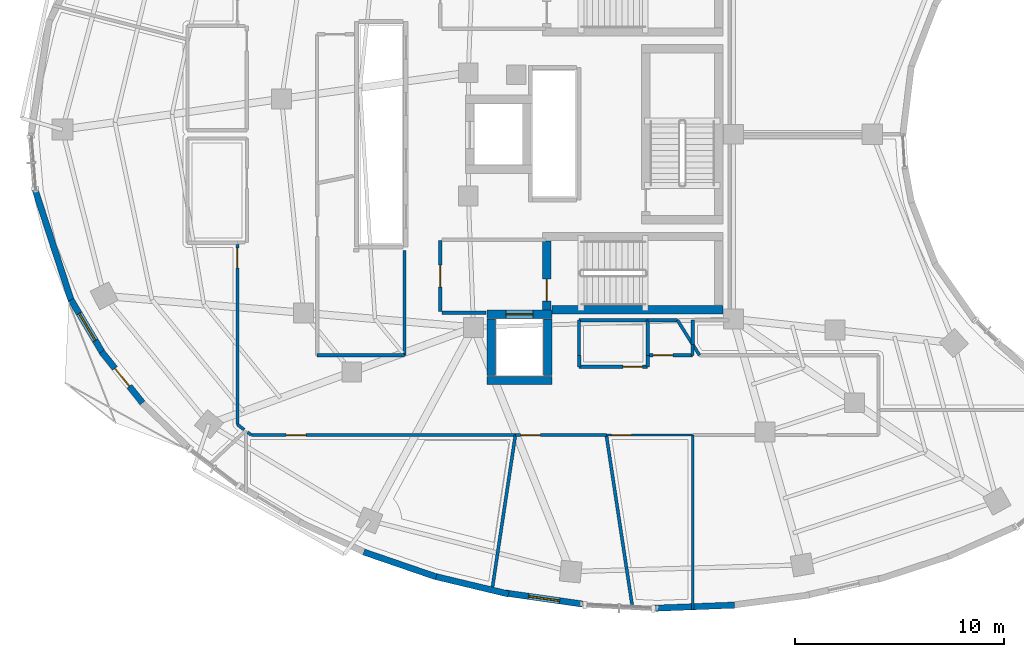
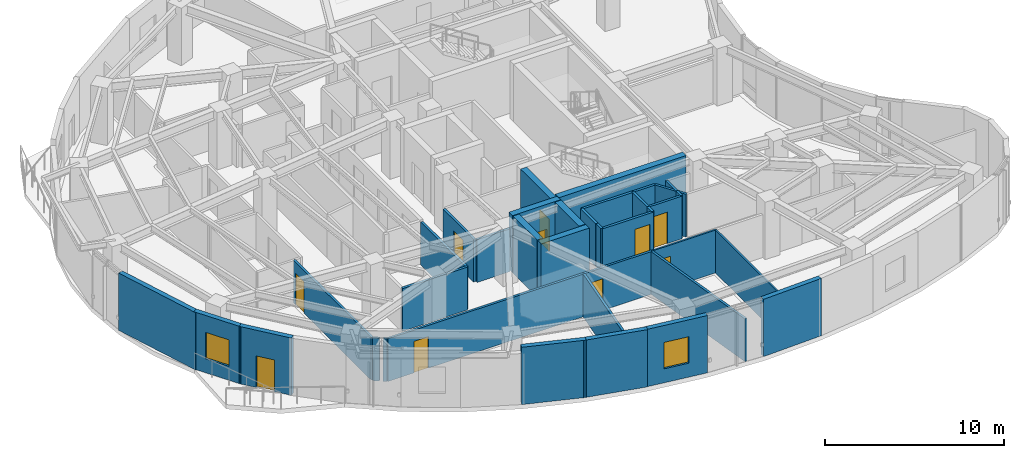
# One storey, part 8 of 15: 38 walls, 10 doors, 2 windows, 12 openings.
"""IFC4 building model written with IfcOpenShell, lengths in metres."""

import ifcopenshell
import ifcopenshell.guid

model = None  # the IFC model being written
_history = None  # IfcOwnerHistory: only IFC2X3 demands one
_inside = {}  # id of a spatial element -> (the spatial element, [elements in it])
_under = {}  # id of a project, library or spatial element -> (it, [spatial elements below it])
_declared = {}  # id of a project -> (the project, [libraries it declares])
_typed = {}  # id of a type object -> (the type object, [elements of that type])
_made_of = {}  # id of a material, layer set ... -> (it, [elements and type objects made of it])


def new_model(schema):
    """Start an empty IFC model of exactly this schema.

    Asked for "IFC4X3", IfcOpenShell would pick the latest addendum, in which some entities
    have other attributes; the version numbers below select the first issue.
    IFC2X3 requires an IfcOwnerHistory on every rooted entity: one is made here for all.
    """
    global model, _history
    if schema == "IFC4X3":
        model = ifcopenshell.file(schema_version=(4, 3, 0, 0))
    else:
        model = ifcopenshell.file(schema=schema)
    _inside.clear()
    _under.clear()
    _declared.clear()
    _typed.clear()
    _made_of.clear()
    _history = None
    if model.schema == "IFC2X3":
        org = make("IfcOrganization", Name="unknown")
        user = make(
            "IfcPersonAndOrganization",
            ThePerson=make("IfcPerson", FamilyName="unknown"),
            TheOrganization=org,
        )
        app = make(
            "IfcApplication",
            ApplicationDeveloper=org,
            Version="unknown",
            ApplicationFullName="unknown",
            ApplicationIdentifier="unknown",
        )
        _history = make(
            "IfcOwnerHistory",
            OwningUser=user,
            OwningApplication=app,
            ChangeAction="ADDED",
            CreationDate=0,
        )
    return model


def make(cls, **values):
    """One entity of the class cls with the attributes given. An attribute that is None is left unset."""
    return model.create_entity(
        cls, **{name: value for name, value in values.items() if value is not None}
    )


def rooted(cls, **values):
    """An entity with a GlobalId (a new one), such as an element, a storey or a relation."""
    return make(cls, GlobalId=ifcopenshell.guid.new(), OwnerHistory=_history, **values)


def si_unit(unit_type, name, prefix=None):
    """IfcSIUnit, for example si_unit("LENGTHUNIT", "METRE", prefix="MILLI")."""
    return make("IfcSIUnit", UnitType=unit_type, Prefix=prefix, Name=name)


def assignment(units):
    """IfcUnitAssignment: the units of a project."""
    return None if units is None else make("IfcUnitAssignment", Units=units)


def point(xyz):
    """IfcCartesianPoint."""
    return None if xyz is None else make("IfcCartesianPoint", Coordinates=xyz)


def direction(xyz):
    """IfcDirection."""
    return None if xyz is None else make("IfcDirection", DirectionRatios=xyz)


def frame(location, z_axis=None, x_axis=None):
    """IfcAxis2Placement3D, a coordinate frame: its origin and axes. An axis left out is left unset."""
    return make(
        "IfcAxis2Placement3D",
        Location=point(location),
        Axis=direction(z_axis),
        RefDirection=direction(x_axis),
    )


def frame_2d(location, x_axis=None):
    """IfcAxis2Placement2D, a coordinate frame in the plane: its origin and x axis."""
    return make(
        "IfcAxis2Placement2D", Location=point(location), RefDirection=direction(x_axis)
    )


def origin():
    """The frame at (0, 0, 0) with its axes left unset."""
    return frame((0.0, 0.0, 0.0))


def place(relative_to, where):
    """IfcLocalPlacement: puts the frame where relative to a parent placement (None: the world)."""
    return make(
        "IfcLocalPlacement", PlacementRelTo=relative_to, RelativePlacement=where
    )


def context(
    kind, dimensions, precision=None, world=None, true_north=None, identifier=None
):
    """IfcGeometricRepresentationContext, for example the 3D "Model" context."""
    return make(
        "IfcGeometricRepresentationContext",
        ContextIdentifier=identifier,
        ContextType=kind,
        CoordinateSpaceDimension=dimensions,
        Precision=precision,
        WorldCoordinateSystem=world,
        TrueNorth=true_north,
    )


def subcontext(parent, identifier, kind, view, scale=None):
    """IfcGeometricRepresentationSubContext, for example "Body" below "Model"."""
    return make(
        "IfcGeometricRepresentationSubContext",
        ContextIdentifier=identifier,
        ContextType=kind,
        ParentContext=parent,
        TargetScale=scale,
        TargetView=view,
    )


def project(units=None, contexts=None):
    """IfcProject with its units and contexts."""
    return rooted(
        "IfcProject",
        Name="project",
        RepresentationContexts=contexts,
        UnitsInContext=assignment(units),
    )


def spatial(cls, under=None, at=None, **own):
    """A site, building, storey or space (cls), placed at a placement, below another one or the project."""
    s = rooted(cls, ObjectPlacement=at, **own)
    if under is not None:
        _under.setdefault(under.id(), (under, []))[1].append(s)
    return s


def profile(cls, at=None, kind="AREA", **sizes):
    """A parametric profile (cls). Its sizes go by their IFC names, for example OverallWidth=200.0."""
    return make(cls, ProfileType=kind, Position=at, **sizes)


def rectangle(**sizes):
    """IfcRectangleProfileDef."""
    return profile("IfcRectangleProfileDef", **sizes)


def extrude(swept, where, along, depth):
    """IfcExtrudedAreaSolid: the profile swept, set in the frame where, extruded along a direction by depth."""
    return make(
        "IfcExtrudedAreaSolid",
        SweptArea=swept,
        Position=where,
        ExtrudedDirection=direction(along),
        Depth=depth,
    )


def shape(context_of_items, identifier, shape_type, items):
    """IfcShapeRepresentation: the items that make up one representation, for example the "Body"."""
    return make(
        "IfcShapeRepresentation",
        ContextOfItems=context_of_items,
        RepresentationIdentifier=identifier,
        RepresentationType=shape_type,
        Items=items,
    )


def material(Name=None, Category=None):
    """IfcMaterial."""
    return make("IfcMaterial", Name=Name, Category=Category)


def layer(
    of_material, thickness, ventilated=None, Name=None, Category=None, Priority=None
):
    """IfcMaterialLayer: one layer of a wall or slab, of a material (None: an air gap)."""
    return make(
        "IfcMaterialLayer",
        Material=of_material,
        LayerThickness=thickness,
        IsVentilated=ventilated,
        Name=Name,
        Category=Category,
        Priority=Priority,
    )


def layer_set(layers, Name=None):
    """IfcMaterialLayerSet."""
    return make("IfcMaterialLayerSet", MaterialLayers=layers, LayerSetName=Name)


def made_of(thing, what):
    """Note that an element or type object is made of a material, layer set ...; save() writes the relation."""
    if what is not None:
        _made_of.setdefault(what.id(), (what, []))[1].append(thing)
    return thing


def type_object(cls, material=None, **own):
    """A type object (cls), such as IfcWallType, which elements share."""
    return made_of(rooted(cls, **own), material)


def element(
    cls,
    number,
    at=None,
    inside=None,
    cuts=None,
    type_object=None,
    material=None,
    context=None,
    identifier="Body",
    shape_type=None,
    held_by="IfcProductDefinitionShape",
    body=None,
    shapes=None,
    **own,
):
    """One element of the class cls, such as IfcWall. Its Tag is "e" and its number.

    at: its placement. inside: the storey or other place that contains it. cuts: it is an
    opening in that element (IfcRelVoidsElement). A single representation is given by context,
    identifier, shape_type and body (its items); several are given by shapes. held_by: the class
    of the entity that holds the representations. save() writes the other relations.
    """
    e = rooted(cls, Tag="e%d" % number, ObjectPlacement=at, **own)
    if body is not None:
        shapes = [shape(context, identifier, shape_type, body)]
    if shapes is not None:
        e.Representation = make(held_by, Representations=shapes)
    if inside is not None:
        _inside.setdefault(inside.id(), (inside, []))[1].append(e)
    if cuts is not None:
        rooted(
            "IfcRelVoidsElement", RelatingBuildingElement=cuts, RelatedOpeningElement=e
        )
    if type_object is not None:
        _typed.setdefault(type_object.id(), (type_object, []))[1].append(e)
    return made_of(e, material)


def fill(opening, filler):
    """IfcRelFillsElement: the door or window that sits in an opening."""
    return rooted(
        "IfcRelFillsElement",
        RelatingOpeningElement=opening,
        RelatedBuildingElement=filler,
    )


def aggregate(whole, parts):
    """IfcRelAggregates: a whole, such as a stair, and the parts it consists of."""
    return rooted("IfcRelAggregates", RelatingObject=whole, RelatedObjects=parts)


def save(model, path):
    """Write the relations noted so far, then the file.

    IfcRelAggregates (storeys below a building ...), IfcRelContainedInSpatialStructure (elements
    in a storey), IfcRelDefinesByType, IfcRelAssociatesMaterial and IfcRelDeclares: one each for
    every whole, place, type object, material and project.
    """
    for whole, parts in _under.values():
        aggregate(whole, parts)
    for where, things in _inside.values():
        rooted(
            "IfcRelContainedInSpatialStructure",
            RelatedElements=things,
            RelatingStructure=where,
        )
    for kind, things in _typed.values():
        rooted("IfcRelDefinesByType", RelatedObjects=things, RelatingType=kind)
    for what, things in _made_of.values():
        rooted("IfcRelAssociatesMaterial", RelatedObjects=things, RelatingMaterial=what)
    for by, libraries in _declared.values():
        rooted("IfcRelDeclares", RelatingContext=by, RelatedDefinitions=libraries)
    model.write(path)


model = new_model("IFC4")

# Units and contexts
model_context = context("Model", 3, precision=1e-05, world=origin(), true_north=direction((0.0, 1.0)))
body_context = subcontext(model_context, "Body", "Model", "MODEL_VIEW")
ifc_project = project(units=[si_unit("LENGTHUNIT", "METRE"), si_unit("AREAUNIT", "SQUARE_METRE"), si_unit("VOLUMEUNIT", "CUBIC_METRE"), si_unit("PLANEANGLEUNIT", "RADIAN"), si_unit("MASSUNIT", "GRAM", prefix="KILO")], contexts=[model_context])

# Site, building, storey
site_placement = place(None, origin())
site = spatial("IfcSite", under=ifc_project, at=site_placement, CompositionType="ELEMENT")
building_placement = place(site_placement, origin())
building = spatial("IfcBuilding", under=site, at=building_placement, Name="Korentha Bioscience Tower", CompositionType="ELEMENT")
storey_placement = place(building_placement, frame((0.0, 0.0, 235.199951171875)))
storey = spatial("IfcBuildingStorey", under=building, at=storey_placement, Name="L54", CompositionType="ELEMENT", Elevation=235.199951171875)

# Wall, opening, door
ifc_material_1 = material(Name="Double-Stud Acoustic Gypsum", Category="gypsum")
ifc_layer_1 = layer(ifc_material_1, 0.14990234375, Name="Double-Stud Acoustic Gypsum")
ifc_layer_set_1 = layer_set([ifc_layer_1], Name="Double-Stud Acoustic Gypsum (IW-L150)")
wall_type_1 = type_object("IfcWallType", Name="Acoustic Laboratory Partition Wall 150", PredefinedType="PARTITIONING", material=ifc_layer_set_1)
wall_1_placement = place(storey_placement, frame((13.7900390625, 21.7900390625, 0.0), z_axis=(0.0, 0.0, 1.0), x_axis=(0.0, -1.0, 0.0)))
wall_1 = element("IfcWall", 1, at=wall_1_placement, inside=storey, type_object=wall_type_1, Name="L54 Staff Pantry Kitchenette 01 Entrance Wall", PredefinedType="PARTITIONING", context=body_context, shape_type="SweptSolid", body=[
    extrude(rectangle(XDim=8.69384765625, YDim=0.14990234375, at=frame_2d((4.346923828125, 0.0))), origin(), (0.0, 0.0, 1.0), 2.91015625),
])
opening_1_placement = place(wall_1_placement, frame((0.239990234375, 0.0, 0.0)))
opening_1 = element("IfcOpeningElement", 2, at=opening_1_placement, cuts=wall_1, Name="Opening ID-10L", PredefinedType="OPENING", context=body_context, shape_type="SweptSolid", body=[
    extrude(rectangle(XDim=0.949951171875, YDim=2.14990234375, at=frame_2d((0.47509765625, 1.074951171875))), frame((0.0, 0.08984375, 0.0), z_axis=(0.0, -1.0, 0.0), x_axis=(1.0, 0.0, 0.0)), (0.0, 0.0, 1.0), 0.1796875),
])
ifc_material_2 = material(Name="Phenolic Laminate Timber Core", Category="wood")
door_type_1 = type_object("IfcDoorType", Name="Laboratory Single Leaf Door 950x2150 Left", OperationType="SINGLE_SWING_LEFT", PredefinedType="DOOR", material=ifc_material_2)
door_1_placement = place(opening_1_placement, origin())
door_1 = element("IfcDoor", 3, at=door_1_placement, inside=storey, type_object=door_type_1, Name="L54 Staff Pantry Kitchenette 01 Door", OperationType="SINGLE_SWING_LEFT", OverallHeight=2.14990234375, OverallWidth=0.949951171875, PredefinedType="DOOR", context=body_context, shape_type="SweptSolid", body=[
    extrude(rectangle(XDim=0.949951171875, YDim=2.14990234375, at=frame_2d((0.47509765625, 1.074951171875))), frame((0.0, 0.02490234375, 0.0), z_axis=(0.0, -1.0, 0.0), x_axis=(1.0, 0.0, 0.0)), (0.0, 0.0, 1.0), 0.050048828125),
])
fill(opening_1, door_1)

wall_2_placement = place(storey_placement, frame((14.454345703125, 12.590087890625, 0.0), z_axis=(0.0, 0.0, 1.0), x_axis=(1.0, 0.0, 0.0)))
wall_2 = element("IfcWall", 4, at=wall_2_placement, inside=storey, type_object=wall_type_1, Name="L54 Biomechanical Motion Analysis Lab 03 Entrance Wall", PredefinedType="PARTITIONING", context=body_context, shape_type="SweptSolid", body=[
    extrude(rectangle(XDim=12.65234375, YDim=0.14990234375, at=frame_2d((6.326171875, 0.0))), origin(), (0.0, 0.0, 1.0), 2.91015625),
])
opening_2_placement = place(wall_2_placement, frame((1.67333984375, 0.0, 0.0)))
opening_2 = element("IfcOpeningElement", 5, at=opening_2_placement, cuts=wall_2, Name="Opening ID-10L", PredefinedType="OPENING", context=body_context, shape_type="SweptSolid", body=[
    extrude(rectangle(XDim=0.949951171875, YDim=2.14990234375, at=frame_2d((0.47509765625, 1.074951171875))), frame((0.0, 0.08984375, 0.0), z_axis=(0.0, -1.0, 0.0), x_axis=(1.0, 0.0, 0.0)), (0.0, 0.0, 1.0), 0.1796875),
])
door_2_placement = place(opening_2_placement, origin())
door_2 = element("IfcDoor", 6, at=door_2_placement, inside=storey, type_object=door_type_1, Name="L54 Biomechanical Motion Analysis Lab 03 Door", OperationType="SINGLE_SWING_LEFT", OverallHeight=2.14990234375, OverallWidth=0.949951171875, PredefinedType="DOOR", context=body_context, shape_type="SweptSolid", body=[
    extrude(rectangle(XDim=0.949951171875, YDim=2.14990234375, at=frame_2d((0.47509765625, 1.074951171875))), frame((0.0, 0.02490234375, 0.0), z_axis=(0.0, -1.0, 0.0), x_axis=(1.0, 0.0, 0.0)), (0.0, 0.0, 1.0), 0.050048828125),
])
fill(opening_2, door_2)

wall_3_placement = place(storey_placement, frame((27.11669921875, 12.590087890625, 0.0), z_axis=(0.0, 0.0, 1.0), x_axis=(1.0, 0.0, 0.0)))
wall_3 = element("IfcWall", 7, at=wall_3_placement, inside=storey, type_object=wall_type_1, Name="L54 Principal Investigator Office 04 Entrance Wall", PredefinedType="PARTITIONING", context=body_context, shape_type="SweptSolid", body=[
    extrude(rectangle(XDim=4.3466796875, YDim=0.14990234375, at=frame_2d((2.17333984375, 0.0))), origin(), (0.0, 0.0, 1.0), 2.91015625),
])
opening_3_placement = place(wall_3_placement, frame((0.239990234375, 0.0, 0.0)))
opening_3 = element("IfcOpeningElement", 8, at=opening_3_placement, cuts=wall_3, Name="Opening ID-10R", PredefinedType="OPENING", context=body_context, shape_type="SweptSolid", body=[
    extrude(rectangle(XDim=0.949951171875, YDim=2.14990234375, at=frame_2d((0.47509765625, 1.074951171875))), frame((0.0, 0.08984375, 0.0), z_axis=(0.0, -1.0, 0.0), x_axis=(1.0, 0.0, 0.0)), (0.0, 0.0, 1.0), 0.1796875),
])
door_type_2 = type_object("IfcDoorType", Name="Laboratory Single Leaf Door 950x2150 Right", OperationType="SINGLE_SWING_RIGHT", PredefinedType="DOOR", material=ifc_material_2)
door_3_placement = place(opening_3_placement, origin())
door_3 = element("IfcDoor", 9, at=door_3_placement, inside=storey, type_object=door_type_2, Name="L54 Principal Investigator Office 04 Door", OperationType="SINGLE_SWING_RIGHT", OverallHeight=2.14990234375, OverallWidth=0.949951171875, PredefinedType="DOOR", context=body_context, shape_type="SweptSolid", body=[
    extrude(rectangle(XDim=0.949951171875, YDim=2.14990234375, at=frame_2d((0.47509765625, 1.074951171875))), frame((0.0, 0.02490234375, 0.0), z_axis=(0.0, -1.0, 0.0), x_axis=(1.0, 0.0, 0.0)), (0.0, 0.0, 1.0), 0.050048828125),
])
fill(opening_3, door_3)

wall_4_placement = place(storey_placement, frame((35.597900390625, 16.409912109375, 0.0), z_axis=(0.0, 0.0, 1.0), x_axis=(-1.0, 0.0, 0.0)))
wall_4 = element("IfcWall", 10, at=wall_4_placement, inside=storey, type_object=wall_type_1, Name="L54 Bioinformatics Data Collaboration Hub 07 Entrance Wall", PredefinedType="PARTITIONING", context=body_context, shape_type="SweptSolid", body=[
    extrude(rectangle(XDim=2.137939453125, YDim=0.14990234375, at=frame_2d((1.06884765625, 0.0))), origin(), (0.0, 0.0, 1.0), 2.91015625),
])
opening_4_placement = place(wall_4_placement, frame((0.947998046875, 0.0, 0.0)))
opening_4 = element("IfcOpeningElement", 11, at=opening_4_placement, cuts=wall_4, Name="Opening ID-10L", PredefinedType="OPENING", context=body_context, shape_type="SweptSolid", body=[
    extrude(rectangle(XDim=0.949951171875, YDim=2.14990234375, at=frame_2d((0.47509765625, 1.074951171875))), frame((0.0, 0.08984375, 0.0), z_axis=(0.0, -1.0, 0.0), x_axis=(1.0, 0.0, 0.0)), (0.0, 0.0, 1.0), 0.1796875),
])
door_4_placement = place(opening_4_placement, origin())
door_4 = element("IfcDoor", 12, at=door_4_placement, inside=storey, type_object=door_type_1, Name="L54 Bioinformatics Data Collaboration Hub 07 Door", OperationType="SINGLE_SWING_LEFT", OverallHeight=2.14990234375, OverallWidth=0.949951171875, PredefinedType="DOOR", context=body_context, shape_type="SweptSolid", body=[
    extrude(rectangle(XDim=0.949951171875, YDim=2.14990234375, at=frame_2d((0.47509765625, 1.074951171875))), frame((0.0, 0.02490234375, 0.0), z_axis=(0.0, -1.0, 0.0), x_axis=(1.0, 0.0, 0.0)), (0.0, 0.0, 1.0), 0.050048828125),
])
fill(opening_4, door_4)

# Walls
wall_5_placement = place(storey_placement, frame((13.7939453125, 13.088134765625, 0.0), z_axis=(0.0, 0.0, 1.0), x_axis=(0.797056485175, -0.60390476024, 0.0)))
element("IfcWall", 13, at=wall_5_placement, inside=storey, type_object=wall_type_1, Name="L54 Interior Partition 033", PredefinedType="PARTITIONING", context=body_context, shape_type="SweptSolid", body=[
    extrude(rectangle(XDim=0.3994140625, YDim=0.14990234375, at=frame_2d((0.19970703125, 0.0))), origin(), (0.0, 0.0, 1.0), 2.91015625),
])
wall_6_placement = place(storey_placement, frame((14.280029296875, 12.7197265625, 0.0), z_axis=(0.0, 0.0, 1.0), x_axis=(0.796940505815, -0.604057803683, 0.0)))
element("IfcWall", 14, at=wall_6_placement, inside=storey, type_object=wall_type_1, Name="L54 Interior Partition 040", PredefinedType="PARTITIONING", context=body_context, shape_type="SweptSolid", body=[
    extrude(rectangle(XDim=0.21142578125, YDim=0.14990234375, at=frame_2d((0.105712890625, 0.0))), origin(), (0.0, 0.0, 1.0), 2.91015625),
])
wall_7_placement = place(storey_placement, frame((27.106689453125, 12.590087890625, 0.0), z_axis=(0.0, 0.0, 1.0), x_axis=(-0.149013085528, -0.98883522406, 0.0)))
element("IfcWall", 15, at=wall_7_placement, inside=storey, type_object=wall_type_1, Name="L54 Interior Partition 041", PredefinedType="PARTITIONING", context=body_context, shape_type="SweptSolid", body=[
    extrude(rectangle(XDim=7.631591796875, YDim=0.14990234375, at=frame_2d((3.81591796875, 0.0))), origin(), (0.0, 0.0, 1.0), 2.91015625),
])
wall_8_placement = place(storey_placement, frame((31.46337890625, 12.590087890625, 0.0), z_axis=(0.0, 0.0, 1.0), x_axis=(0.149927844007, -0.988696941227, 0.0)))
element("IfcWall", 16, at=wall_8_placement, inside=storey, type_object=wall_type_1, Name="L54 Interior Partition 042", PredefinedType="PARTITIONING", context=body_context, shape_type="SweptSolid", body=[
    extrude(rectangle(XDim=8.44482421875, YDim=0.14990234375, at=frame_2d((4.222412109375, 0.0))), origin(), (0.0, 0.0, 1.0), 2.91015625),
])
wall_9_placement = place(storey_placement, frame((35.60205078125, 16.938232421875, 0.0), z_axis=(0.0, 0.0, 1.0), x_axis=(0.0, 1.0, 0.0)))
element("IfcWall", 17, at=wall_9_placement, inside=storey, type_object=wall_type_1, Name="L54 Interior Partition 046", PredefinedType="PARTITIONING", context=body_context, shape_type="SweptSolid", body=[
    extrude(rectangle(XDim=1.15185546875, YDim=0.14990234375, at=frame_2d((0.575927734375, 0.0))), origin(), (0.0, 0.0, 1.0), 2.91015625),
])
wall_10_placement = place(storey_placement, frame((35.929443359375, 16.409912109375, 0.0), z_axis=(0.0, 0.0, 1.0), x_axis=(-0.531474166757, 0.847074500897, 0.0)))
element("IfcWall", 18, at=wall_10_placement, inside=storey, type_object=wall_type_1, Name="L54 Interior Partition 052", PredefinedType="PARTITIONING", context=body_context, shape_type="SweptSolid", body=[
    extrude(rectangle(XDim=0.609619140625, YDim=0.14990234375, at=frame_2d((0.3046875, 0.0))), origin(), (0.0, 0.0, 1.0), 2.91015625),
])
wall_11_placement = place(storey_placement, frame((35.597900390625, 16.92431640625, 0.0), z_axis=(0.0, 0.0, 1.0), x_axis=(0.0, -1.0, 0.0)))
element("IfcWall", 19, at=wall_11_placement, inside=storey, type_object=wall_type_1, Name="L54 Interior Partition 053", PredefinedType="PARTITIONING", context=body_context, shape_type="SweptSolid", body=[
    extrude(rectangle(XDim=0.514404296875, YDim=0.14990234375, at=frame_2d((0.25732421875, 0.0))), origin(), (0.0, 0.0, 1.0), 2.91015625),
])
wall_12_placement = place(storey_placement, frame((33.4599609375, 18.090087890625, 0.0), z_axis=(0.0, 0.0, 1.0), x_axis=(1.0, 0.0, 0.0)))
element("IfcWall", 20, at=wall_12_placement, inside=storey, type_object=wall_type_1, Name="L54 Interior Partition 054", PredefinedType="PARTITIONING", context=body_context, shape_type="SweptSolid", body=[
    extrude(rectangle(XDim=1.410400390625, YDim=0.14990234375, at=frame_2d((0.705078125, 0.0))), origin(), (0.0, 0.0, 1.0), 2.91015625),
])
wall_13_placement = place(storey_placement, frame((34.870361328125, 18.090087890625, 0.0), z_axis=(0.0, 0.0, 1.0), x_axis=(0.531496113267, -0.847060730752, 0.0)))
element("IfcWall", 21, at=wall_13_placement, inside=storey, type_object=wall_type_1, Name="L54 Interior Partition 055", PredefinedType="PARTITIONING", context=body_context, shape_type="SweptSolid", body=[
    extrude(rectangle(XDim=1.3623046875, YDim=0.14990234375, at=frame_2d((0.68115234375, 0.0))), origin(), (0.0, 0.0, 1.0), 2.91015625),
])

# Wall, opening, door
ifc_material_3 = material(Name="Fire-Rated Framed Glass", Category="glass")
ifc_layer_2 = layer(ifc_material_3, 0.110107421875, Name="Fire-Rated Framed Glass")
ifc_layer_set_2 = layer_set([ifc_layer_2], Name="Fire-Rated Framed Glass (IW-G110)")
wall_type_2 = type_object("IfcWallType", Name="Demountable Glazed Office Partition 110", PredefinedType="MOVABLE", material=ifc_layer_set_2)
wall_14_placement = place(storey_placement, frame((31.473388671875, 12.590087890625, 0.0), z_axis=(0.0, 0.0, 1.0), x_axis=(1.0, 0.0, 0.0)))
wall_14 = element("IfcWall", 22, at=wall_14_placement, inside=storey, type_object=wall_type_2, Name="L54 Clinical Trials Data Office 05 Entrance Wall", PredefinedType="MOVABLE", context=body_context, shape_type="SweptSolid", body=[
    extrude(rectangle(XDim=4.12451171875, YDim=0.110107421875, at=frame_2d((2.062255859375, 0.0))), origin(), (0.0, 0.0, 1.0), 2.91015625),
])
opening_5_placement = place(wall_14_placement, frame((0.239990234375, 0.0, 0.0)))
opening_5 = element("IfcOpeningElement", 23, at=opening_5_placement, cuts=wall_14, Name="Opening ID-10L", PredefinedType="OPENING", context=body_context, shape_type="SweptSolid", body=[
    extrude(rectangle(XDim=0.949951171875, YDim=2.14990234375, at=frame_2d((0.47509765625, 1.074951171875))), frame((0.0, 0.06982421875, 0.0), z_axis=(0.0, -1.0, 0.0), x_axis=(1.0, 0.0, 0.0)), (0.0, 0.0, 1.0), 0.139892578125),
])
door_5_placement = place(opening_5_placement, origin())
door_5 = element("IfcDoor", 24, at=door_5_placement, inside=storey, type_object=door_type_1, Name="L54 Clinical Trials Data Office 05 Door", OperationType="SINGLE_SWING_LEFT", OverallHeight=2.14990234375, OverallWidth=0.949951171875, PredefinedType="DOOR", context=body_context, shape_type="SweptSolid", body=[
    extrude(rectangle(XDim=0.949951171875, YDim=2.14990234375, at=frame_2d((0.47509765625, 1.074951171875))), frame((0.0, 0.02490234375, 0.0), z_axis=(0.0, -1.0, 0.0), x_axis=(1.0, 0.0, 0.0)), (0.0, 0.0, 1.0), 0.050048828125),
])
fill(opening_5, door_5)

# Wall
wall_15_placement = place(storey_placement, frame((35.597900390625, 12.590087890625, 0.0), z_axis=(0.0, 0.0, 1.0), x_axis=(0.0, -1.0, 0.0)))
element("IfcWall", 25, at=wall_15_placement, inside=storey, type_object=wall_type_2, Name="L54 Interior Partition 043", PredefinedType="MOVABLE", context=body_context, shape_type="SweptSolid", body=[
    extrude(rectangle(XDim=8.3466796875, YDim=0.110107421875, at=frame_2d((4.17333984375, 0.0))), origin(), (0.0, 0.0, 1.0), 2.91015625),
])

# Wall, opening, door
ifc_material_4 = material(Name="Gypsum-Clad Steel Stud", Category="steel")
ifc_layer_3 = layer(ifc_material_4, 0.159912109375, Name="Gypsum-Clad Steel Stud")
ifc_layer_set_3 = layer_set([ifc_layer_3], Name="Gypsum-Clad Steel Stud (IW-C160)")
wall_type_3 = type_object("IfcWallType", Name="Fire-Rated Corridor Partition Wall 160", PredefinedType="PARTITIONING", material=ifc_layer_set_3)
wall_16_placement = place(storey_placement, frame((23.5, 18.5, 0.0), z_axis=(0.0, 0.0, 1.0), x_axis=(0.0, 1.0, 0.0)))
wall_16 = element("IfcWall", 26, at=wall_16_placement, inside=storey, type_object=wall_type_3, Name="L54 FFLS-CW Rated Enclosure Wall", PredefinedType="PARTITIONING", context=body_context, shape_type="SweptSolid", body=[
    extrude(rectangle(XDim=3.39990234375, YDim=0.159912109375, at=frame_2d((1.699951171875, 0.0))), origin(), (0.0, 0.0, 1.0), 2.91015625),
])
opening_6_placement = place(wall_16_placement, frame((1.175048828125, 0.0, 0.0)))
opening_6 = element("IfcOpeningElement", 27, at=opening_6_placement, cuts=wall_16, Name="Opening FD-90L", PredefinedType="OPENING", context=body_context, shape_type="SweptSolid", body=[
    extrude(rectangle(XDim=1.050048828125, YDim=2.14990234375, at=frame_2d((0.52490234375, 1.074951171875))), frame((0.0, 0.0947265625, 0.0), z_axis=(0.0, -1.0, 0.0), x_axis=(1.0, 0.0, 0.0)), (0.0, 0.0, 1.0), 0.189697265625),
])
ifc_material_5 = material(Name="Powder-Coated Fire-Rated Steel", Category="steel")
door_type_3 = type_object("IfcDoorType", Name="Stairwell Fire Exit Door 1050x2150 Left", OperationType="SINGLE_SWING_LEFT", PredefinedType="DOOR", material=ifc_material_5)
door_6_placement = place(opening_6_placement, origin())
door_6 = element("IfcDoor", 28, at=door_6_placement, inside=storey, type_object=door_type_3, Name="L54 South Firefighting Lobby Door", OperationType="SINGLE_SWING_LEFT", OverallHeight=2.14990234375, OverallWidth=1.050048828125, PredefinedType="DOOR", context=body_context, shape_type="SweptSolid", body=[
    extrude(rectangle(XDim=1.050048828125, YDim=2.14990234375, at=frame_2d((0.52490234375, 1.074951171875))), frame((0.0, 0.02490234375, 0.0), z_axis=(0.0, -1.0, 0.0), x_axis=(1.0, 0.0, 0.0)), (0.0, 0.0, 1.0), 0.050048828125),
])
fill(opening_6, door_6)

# Wall
wall_17_placement = place(storey_placement, frame((23.580078125, 18.449951171875, 0.0), z_axis=(0.0, 0.0, 1.0), x_axis=(1.0, 0.0, 0.0)))
element("IfcWall", 29, at=wall_17_placement, inside=storey, type_object=wall_type_3, Name="L54 Firefighting Lobby Return Wall FFLS-S", PredefinedType="PARTITIONING", context=body_context, shape_type="SweptSolid", body=[
    extrude(rectangle(XDim=2.119873046875, YDim=0.159912109375, at=frame_2d((1.06005859375, 0.0))), origin(), (0.0, 0.0, 1.0), 2.91015625),
])

# Wall, opening, door
wall_18_placement = place(storey_placement, frame((33.43994140625, 15.860107421875, 0.0), z_axis=(0.0, 0.0, 1.0), x_axis=(-1.0, 0.0, 0.0)))
wall_18 = element("IfcWall", 30, at=wall_18_placement, inside=storey, type_object=wall_type_3, Name="L54 Core Instrumentation and Gas Store Entrance Wall", PredefinedType="PARTITIONING", context=body_context, shape_type="SweptSolid", body=[
    extrude(rectangle(XDim=3.280029296875, YDim=0.159912109375, at=frame_2d((1.64013671875, 0.0))), origin(), (0.0, 0.0, 1.0), 2.91015625),
])
opening_7_placement = place(wall_18_placement, frame((0.239990234375, 0.0, 0.0)))
opening_7 = element("IfcOpeningElement", 31, at=opening_7_placement, cuts=wall_18, Name="Opening ID-10L", PredefinedType="OPENING", context=body_context, shape_type="SweptSolid", body=[
    extrude(rectangle(XDim=0.949951171875, YDim=2.14990234375, at=frame_2d((0.47509765625, 1.074951171875))), frame((0.0, 0.0947265625, 0.0), z_axis=(0.0, -1.0, 0.0), x_axis=(1.0, 0.0, 0.0)), (0.0, 0.0, 1.0), 0.189697265625),
])
door_7_placement = place(opening_7_placement, origin())
door_7 = element("IfcDoor", 32, at=door_7_placement, inside=storey, type_object=door_type_1, Name="L54 Core Instrumentation and Gas Store Door", OperationType="SINGLE_SWING_LEFT", OverallHeight=2.14990234375, OverallWidth=0.949951171875, PredefinedType="DOOR", context=body_context, shape_type="SweptSolid", body=[
    extrude(rectangle(XDim=0.949951171875, YDim=2.14990234375, at=frame_2d((0.47509765625, 1.074951171875))), frame((0.0, 0.02490234375, 0.0), z_axis=(0.0, -1.0, 0.0), x_axis=(1.0, 0.0, 0.0)), (0.0, 0.0, 1.0), 0.050048828125),
])
fill(opening_7, door_7)

# Walls
for number, where, z_axis, x_axis, name in (
    (33, (33.43994140625, 16.39990234375, 0.0), (0.0, 0.0, 1.0), (0.0, -1.0, 0.0), "L54 Interior Partition 017"),
    (34, (30.159912109375, 15.860107421875, 0.0), (0.0, 0.0, 1.0), (0.0, 1.0, 0.0), "L54 Interior Partition 018"),
):
    element("IfcWall", number, at=place(storey_placement, frame(where, z_axis=z_axis, x_axis=x_axis)), inside=storey, type_object=wall_type_3, Name=name, PredefinedType="PARTITIONING", context=body_context, shape_type="SweptSolid", body=[
        extrude(rectangle(XDim=0.539794921875, YDim=0.159912109375, at=frame_2d((0.27001953125, 0.0))), origin(), (0.0, 0.0, 1.0), 2.91015625),
    ])
wall_19_placement = place(storey_placement, frame((30.14990234375, 16.409912109375, 0.0), z_axis=(0.0, 0.0, 1.0), x_axis=(0.0, 1.0, 0.0)))
element("IfcWall", 35, at=wall_19_placement, inside=storey, type_object=wall_type_3, Name="L54 Interior Partition 019", PredefinedType="PARTITIONING", context=body_context, shape_type="SweptSolid", body=[
    extrude(rectangle(XDim=1.68017578125, YDim=0.159912109375, at=frame_2d((0.840087890625, 0.0))), origin(), (0.0, 0.0, 1.0), 2.91015625),
])
wall_20_placement = place(storey_placement, frame((30.14990234375, 18.090087890625, 0.0), z_axis=(0.0, 0.0, 1.0), x_axis=(1.0, 0.0, 0.0)))
element("IfcWall", 36, at=wall_20_placement, inside=storey, type_object=wall_type_3, Name="L54 Interior Partition 020", PredefinedType="PARTITIONING", context=body_context, shape_type="SweptSolid", body=[
    extrude(rectangle(XDim=3.300048828125, YDim=0.159912109375, at=frame_2d((1.64990234375, 0.0))), origin(), (0.0, 0.0, 1.0), 2.91015625),
])
wall_21_placement = place(storey_placement, frame((33.449951171875, 18.090087890625, 0.0), z_axis=(0.0, 0.0, 1.0), x_axis=(0.0, -1.0, 0.0)))
element("IfcWall", 37, at=wall_21_placement, inside=storey, type_object=wall_type_3, Name="L54 Interior Partition 021", PredefinedType="PARTITIONING", context=body_context, shape_type="SweptSolid", body=[
    extrude(rectangle(XDim=1.68017578125, YDim=0.159912109375, at=frame_2d((0.840087890625, 0.0))), origin(), (0.0, 0.0, 1.0), 2.91015625),
])
wall_22_placement = place(storey_placement, frame((21.7900390625, 21.43994140625, 0.0), z_axis=(0.0, 0.0, 1.0), x_axis=(0.0, -1.0, 0.0)))
element("IfcWall", 38, at=wall_22_placement, inside=storey, type_object=wall_type_3, Name="L54 Interior Partition 036", PredefinedType="PARTITIONING", context=body_context, shape_type="SweptSolid", body=[
    extrude(rectangle(XDim=5.030029296875, YDim=0.159912109375, at=frame_2d((2.51513671875, 0.0))), origin(), (0.0, 0.0, 1.0), 2.91015625),
])
wall_23_placement = place(storey_placement, frame((21.7900390625, 16.409912109375, 0.0), z_axis=(0.0, 0.0, 1.0), x_axis=(-1.0, 0.0, 0.0)))
element("IfcWall", 39, at=wall_23_placement, inside=storey, type_object=wall_type_3, Name="L54 Interior Partition 037", PredefinedType="PARTITIONING", context=body_context, shape_type="SweptSolid", body=[
    extrude(rectangle(XDim=4.179931640625, YDim=0.159912109375, at=frame_2d((2.08984375, 0.0))), origin(), (0.0, 0.0, 1.0), 2.91015625),
])

# Wall, opening, window
ifc_material_6 = material(Name="Honed Limestone Precast Concrete C40", Category="masonry")
ifc_layer_4 = layer(ifc_material_6, 0.300048828125, Name="Honed Limestone Precast Concrete C40")
ifc_layer_set_4 = layer_set([ifc_layer_4], Name="Honed Limestone Precast Concrete C40 (EW-ST300)")
wall_type_4 = type_object("IfcWallType", Name="Honed Limestone Cavity Spandrel Wall 300", PredefinedType="STANDARD", material=ifc_layer_set_4)
wall_24_placement = place(storey_placement, frame((5.818115234375, 19.07080078125, 0.0), z_axis=(0.0, 0.0, 1.0), x_axis=(0.511263271049, -0.859424148879, 0.0)))
wall_24 = element("IfcWall", 40, at=wall_24_placement, inside=storey, type_object=wall_type_4, Name="L54 Honed Limestone Spandrel Wall 22", PredefinedType="STANDARD", context=body_context, shape_type="SweptSolid", body=[
    extrude(rectangle(XDim=3.03564453125, YDim=0.300048828125, at=frame_2d((1.517822265625, 0.0))), origin(), (0.0, 0.0, 1.0), 3.900146484375),
])
opening_8_placement = place(wall_24_placement, frame((0.767822265625, 0.0, 0.949951171875)))
opening_8 = element("IfcOpeningElement", 41, at=opening_8_placement, cuts=wall_24, Name="Opening WN-02", PredefinedType="OPENING", context=body_context, shape_type="SweptSolid", body=[
    extrude(rectangle(XDim=1.5, YDim=1.800048828125, at=frame_2d((0.75, 0.89990234375))), frame((0.0, 0.1650390625, 0.0), z_axis=(0.0, -1.0, 0.0), x_axis=(1.0, 0.0, 0.0)), (0.0, 0.0, 1.0), 0.329833984375),
])
ifc_material_7 = material(Name="Thermally Broken Aluminium Triple Glazing", Category="aluminium")
window_type = type_object("IfcWindowType", Name="Acoustic Operable Office Window 1500x1800", PartitioningType="DOUBLE_PANEL_VERTICAL", PredefinedType="WINDOW", material=ifc_material_7)
window_1_placement = place(opening_8_placement, origin())
window_1 = element("IfcWindow", 42, at=window_1_placement, inside=storey, type_object=window_type, Name="L54 Facade Window 22", OverallHeight=1.800048828125, OverallWidth=1.5, PartitioningType="DOUBLE_PANEL_VERTICAL", PredefinedType="WINDOW", context=body_context, shape_type="SweptSolid", body=[
    extrude(rectangle(XDim=1.5, YDim=1.800048828125, at=frame_2d((0.75, 0.89990234375))), frame((0.0, 0.030029296875, 0.0), z_axis=(0.0, -1.0, 0.0), x_axis=(1.0, 0.0, 0.0)), (0.0, 0.0, 1.0), 0.06005859375),
])
fill(opening_8, window_1)

# Wall, opening, door
wall_25_placement = place(storey_placement, frame((7.28955078125, 16.57861328125, 0.0), z_axis=(0.0, 0.0, 1.0), x_axis=(0.624095877763, -0.781347768512, 0.0)))
wall_25 = element("IfcWall", 43, at=wall_25_placement, inside=storey, type_object=wall_type_4, Name="L54 Balcony Threshold Wall 03", PredefinedType="STANDARD", context=body_context, shape_type="SweptSolid", body=[
    extrude(rectangle(XDim=3.131591796875, YDim=0.300048828125, at=frame_2d((1.56591796875, 0.0))), origin(), (0.0, 0.0, 1.0), 3.900146484375),
])
opening_9_placement = place(wall_25_placement, frame((1.015625, 0.0, 0.0)))
opening_9 = element("IfcOpeningElement", 44, at=opening_9_placement, cuts=wall_25, Name="Opening BD-11L", PredefinedType="OPENING", context=body_context, shape_type="SweptSolid", body=[
    extrude(rectangle(XDim=1.10009765625, YDim=2.14990234375, at=frame_2d((0.550048828125, 1.074951171875))), frame((0.0, 0.1650390625, 0.0), z_axis=(0.0, -1.0, 0.0), x_axis=(1.0, 0.0, 0.0)), (0.0, 0.0, 1.0), 0.329833984375),
])
ifc_material_8 = material(Name="Thermally Broken Glazed Aluminium", Category="aluminium")
door_type_4 = type_object("IfcDoorType", Name="Balcony Terrace Glazed Door 1100x2150 Left", OperationType="SINGLE_SWING_LEFT", PredefinedType="DOOR", material=ifc_material_8)
door_8_placement = place(opening_9_placement, origin())
door_8 = element("IfcDoor", 45, at=door_8_placement, inside=storey, type_object=door_type_4, Name="L54 Balcony Access Door 03", OperationType="SINGLE_SWING_LEFT", OverallHeight=2.14990234375, OverallWidth=1.10009765625, PredefinedType="DOOR", context=body_context, shape_type="SweptSolid", body=[
    extrude(rectangle(XDim=1.10009765625, YDim=2.14990234375, at=frame_2d((0.550048828125, 1.074951171875))), frame((0.0, 0.02490234375, 0.0), z_axis=(0.0, -1.0, 0.0), x_axis=(1.0, 0.0, 0.0)), (0.0, 0.0, 1.0), 0.050048828125),
])
fill(opening_9, door_8)

# Wall, opening, window
wall_26_placement = place(storey_placement, frame((26.628173828125, 5.022216796875, 0.0), z_axis=(0.0, 0.0, 1.0), x_axis=(0.989905072127, -0.14173195891, 0.0)))
wall_26 = element("IfcWall", 46, at=wall_26_placement, inside=storey, type_object=wall_type_4, Name="L54 Honed Limestone Spandrel Wall 30", PredefinedType="STANDARD", context=body_context, shape_type="SweptSolid", body=[
    extrude(rectangle(XDim=3.741455078125, YDim=0.300048828125, at=frame_2d((1.87060546875, 0.0))), origin(), (0.0, 0.0, 1.0), 3.900146484375),
])
opening_10_placement = place(wall_26_placement, frame((1.12060546875, 0.0, 0.949951171875)))
opening_10 = element("IfcOpeningElement", 47, at=opening_10_placement, cuts=wall_26, Name="Opening WN-02", PredefinedType="OPENING", context=body_context, shape_type="SweptSolid", body=[
    extrude(rectangle(XDim=1.5, YDim=1.800048828125, at=frame_2d((0.75, 0.89990234375))), frame((0.0, 0.1650390625, 0.0), z_axis=(0.0, -1.0, 0.0), x_axis=(1.0, 0.0, 0.0)), (0.0, 0.0, 1.0), 0.329833984375),
])
window_2_placement = place(opening_10_placement, origin())
window_2 = element("IfcWindow", 48, at=window_2_placement, inside=storey, type_object=window_type, Name="L54 Facade Window 30", OverallHeight=1.800048828125, OverallWidth=1.5, PartitioningType="DOUBLE_PANEL_VERTICAL", PredefinedType="WINDOW", context=body_context, shape_type="SweptSolid", body=[
    extrude(rectangle(XDim=1.5, YDim=1.800048828125, at=frame_2d((0.75, 0.89990234375))), frame((0.0, 0.030029296875, 0.0), z_axis=(0.0, -1.0, 0.0), x_axis=(1.0, 0.0, 0.0)), (0.0, 0.0, 1.0), 0.06005859375),
])
fill(opening_10, window_2)

# Walls
wall_27_placement = place(storey_placement, frame((4.08447265625, 24.37939453125, 0.0), z_axis=(0.0, 0.0, 1.0), x_axis=(0.309937285623, -0.95075700312, 0.0)))
element("IfcWall", 49, at=wall_27_placement, inside=storey, type_object=wall_type_4, Name="L54 Limestone Perimeter Closure Wall 20", PredefinedType="STANDARD", context=body_context, shape_type="SweptSolid", body=[
    extrude(rectangle(XDim=5.758056640625, YDim=0.300048828125, at=frame_2d((2.87890625, 0.0))), origin(), (0.0, 0.0, 1.0), 3.900146484375),
])
wall_28_placement = place(storey_placement, frame((19.83837890625, 6.987548828125, 0.0), z_axis=(0.0, 0.0, 1.0), x_axis=(0.945722383555, -0.32497565023, 0.0)))
element("IfcWall", 50, at=wall_28_placement, inside=storey, type_object=wall_type_4, Name="L54 Limestone Perimeter Closure Wall 28", PredefinedType="STANDARD", context=body_context, shape_type="SweptSolid", body=[
    extrude(rectangle(XDim=3.669921875, YDim=0.300048828125, at=frame_2d((1.8349609375, 0.0))), origin(), (0.0, 0.0, 1.0), 3.900146484375),
])
wall_29_placement = place(storey_placement, frame((23.142578125, 5.84326171875, 0.0), z_axis=(0.0, 0.0, 1.0), x_axis=(0.972475629939, -0.233004611918, 0.0)))
element("IfcWall", 51, at=wall_29_placement, inside=storey, type_object=wall_type_4, Name="L54 Limestone Perimeter Closure Wall 29", PredefinedType="STANDARD", context=body_context, shape_type="SweptSolid", body=[
    extrude(rectangle(XDim=3.7353515625, YDim=0.300048828125, at=frame_2d((1.86767578125, 0.0))), origin(), (0.0, 0.0, 1.0), 3.900146484375),
])
wall_30_placement = place(storey_placement, frame((33.804931640625, 4.29248046875, 0.0), z_axis=(0.0, 0.0, 1.0), x_axis=(0.999221923177, 0.039440439173, 0.0)))
element("IfcWall", 52, at=wall_30_placement, inside=storey, type_object=wall_type_4, Name="L54 Limestone Perimeter Closure Wall 32", PredefinedType="STANDARD", context=body_context, shape_type="SweptSolid", body=[
    extrude(rectangle(XDim=3.806884765625, YDim=0.300048828125, at=frame_2d((1.9033203125, 0.0))), origin(), (0.0, 0.0, 1.0), 3.900146484375),
])
ifc_material_9 = material(Name="Concrete C65", Category="concrete")
ifc_layer_5 = layer(ifc_material_9, 0.39990234375, Name="Concrete C65")
ifc_layer_set_5 = layer_set([ifc_layer_5], Name="Concrete C65 (CW-C65)")
wall_type_5 = type_object("IfcWallType", Name="Mid-Rise Core Shear Wall 400", PredefinedType="SHEAR", material=ifc_layer_set_5)
wall_31_placement = place(storey_placement, frame((28.85205078125, 18.60009765625, 0.0), z_axis=(0.0, 0.0, 1.0), x_axis=(1.0, 0.0, 0.0)))
element("IfcWall", 53, at=wall_31_placement, inside=storey, type_object=wall_type_5, Name="L54 Core Shear Wall ST2-S", PredefinedType="SHEAR", context=body_context, shape_type="SweptSolid", body=[
    extrude(rectangle(XDim=8.197998046875, YDim=0.39990234375, at=frame_2d((4.09912109375, 0.0))), origin(), (0.0, 0.0, 1.0), 3.900146484375),
])

# Wall, opening, door
wall_32_placement = place(storey_placement, frame((28.60009765625, 18.58203125, 0.0), z_axis=(0.0, 0.0, 1.0), x_axis=(0.0, 1.0, 0.0)))
wall_32 = element("IfcWall", 54, at=wall_32_placement, inside=storey, type_object=wall_type_5, Name="L54 Core Shear Wall ST2-W", PredefinedType="SHEAR", context=body_context, shape_type="SweptSolid", body=[
    extrude(rectangle(XDim=3.307861328125, YDim=0.39990234375, at=frame_2d((1.65380859375, 0.0))), origin(), (0.0, 0.0, 1.0), 3.900146484375),
])
opening_11_placement = place(wall_32_placement, frame((0.427978515625, 0.0, 0.0)))
opening_11 = element("IfcOpeningElement", 55, at=opening_11_placement, cuts=wall_32, Name="Opening FD-90L", PredefinedType="OPENING", context=body_context, shape_type="SweptSolid", body=[
    extrude(rectangle(XDim=1.050048828125, YDim=2.14990234375, at=frame_2d((0.52490234375, 1.074951171875))), frame((0.0, 0.21484375, 0.0), z_axis=(0.0, -1.0, 0.0), x_axis=(1.0, 0.0, 0.0)), (0.0, 0.0, 1.0), 0.4296875),
])
door_9_placement = place(opening_11_placement, origin())
door_9 = element("IfcDoor", 56, at=door_9_placement, inside=storey, type_object=door_type_3, Name="L54 ST-2 Fire Exit Stair Door", OperationType="SINGLE_SWING_LEFT", OverallHeight=2.14990234375, OverallWidth=1.050048828125, PredefinedType="DOOR", context=body_context, shape_type="SweptSolid", body=[
    extrude(rectangle(XDim=1.050048828125, YDim=2.14990234375, at=frame_2d((0.52490234375, 1.074951171875))), frame((0.0, 0.02490234375, 0.0), z_axis=(0.0, -1.0, 0.0), x_axis=(1.0, 0.0, 0.0)), (0.0, 0.0, 1.0), 0.050048828125),
])
fill(opening_11, door_9)

# Wall
wall_33_placement = place(storey_placement, frame((25.75, 15.199951171875, 0.0), z_axis=(0.0, 0.0, 1.0), x_axis=(1.0, 0.0, 0.0)))
element("IfcWall", 57, at=wall_33_placement, inside=storey, type_object=wall_type_5, Name="L54 Core Shear Wall FFL1-S", PredefinedType="SHEAR", context=body_context, shape_type="SweptSolid", body=[
    extrude(rectangle(XDim=3.10009765625, YDim=0.39990234375, at=frame_2d((1.550048828125, 0.0))), origin(), (0.0, 0.0, 1.0), 3.900146484375),
])

# Wall, opening, door
wall_34_placement = place(storey_placement, frame((25.75, 18.3798828125, 0.0), z_axis=(0.0, 0.0, 1.0), x_axis=(1.0, 0.0, 0.0)))
wall_34 = element("IfcWall", 58, at=wall_34_placement, inside=storey, type_object=wall_type_5, Name="L54 Core Shear Wall FFL1-N", PredefinedType="SHEAR", context=body_context, shape_type="SweptSolid", body=[
    extrude(rectangle(XDim=3.10009765625, YDim=0.39990234375, at=frame_2d((1.550048828125, 0.0))), origin(), (0.0, 0.0, 1.0), 3.900146484375),
])
opening_12_placement = place(wall_34_placement, frame((0.89990234375, 0.0, 0.0)))
opening_12 = element("IfcOpeningElement", 59, at=opening_12_placement, cuts=wall_34, Name="Opening LD-13", PredefinedType="OPENING", context=body_context, shape_type="SweptSolid", body=[
    extrude(rectangle(XDim=1.300048828125, YDim=2.199951171875, at=frame_2d((0.64990234375, 1.10009765625))), frame((0.0, 0.21484375, 0.0), z_axis=(0.0, -1.0, 0.0), x_axis=(1.0, 0.0, 0.0)), (0.0, 0.0, 1.0), 0.4296875),
])
ifc_material_10 = material(Name="Brushed Stainless Steel 316", Category="steel")
door_type_5 = type_object("IfcDoorType", Name="Service & Firefighting Lift Landing Door 1300x2300", OperationType="DOUBLE_DOOR_SLIDING", PredefinedType="DOOR", material=ifc_material_10)
door_10_placement = place(opening_12_placement, origin())
door_10 = element("IfcDoor", 60, at=door_10_placement, inside=storey, type_object=door_type_5, Name="L54 FFL-1 Sliding Lift Landing Door", OperationType="DOUBLE_DOOR_SLIDING", OverallHeight=2.199951171875, OverallWidth=1.300048828125, PredefinedType="DOOR", context=body_context, shape_type="SweptSolid", body=[
    extrude(rectangle(XDim=1.300048828125, YDim=2.199951171875, at=frame_2d((0.64990234375, 1.10009765625))), frame((0.0, 0.02490234375, 0.0), z_axis=(0.0, -1.0, 0.0), x_axis=(1.0, 0.0, 0.0)), (0.0, 0.0, 1.0), 0.050048828125),
])
fill(opening_12, door_10)

# Walls
for number, where, z_axis, x_axis, name in (
    (61, (25.949951171875, 15.43994140625, 0.0), (0.0, 0.0, 1.0), (0.0, 1.0, 0.0), "L54 Core Shear Wall FFL1-W"),
    (62, (28.64990234375, 15.43994140625, 0.0), (0.0, 0.0, 1.0), (0.0, 1.0, 0.0), "L54 Core Shear Wall FFL1-E"),
):
    element("IfcWall", number, at=place(storey_placement, frame(where, z_axis=z_axis, x_axis=x_axis)), inside=storey, type_object=wall_type_5, Name=name, PredefinedType="SHEAR", context=body_context, shape_type="SweptSolid", body=[
        extrude(rectangle(XDim=2.699951171875, YDim=0.39990234375, at=frame_2d((1.35009765625, 0.0))), origin(), (0.0, 0.0, 1.0), 3.900146484375),
    ])

save(model, "model.ifc")
